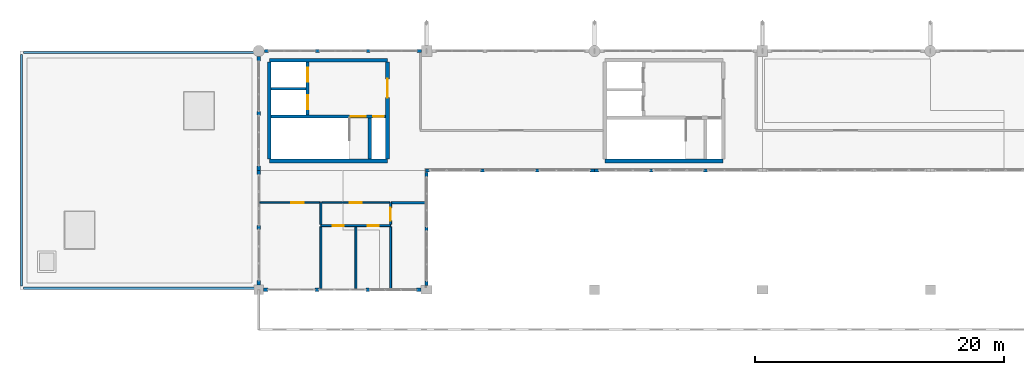
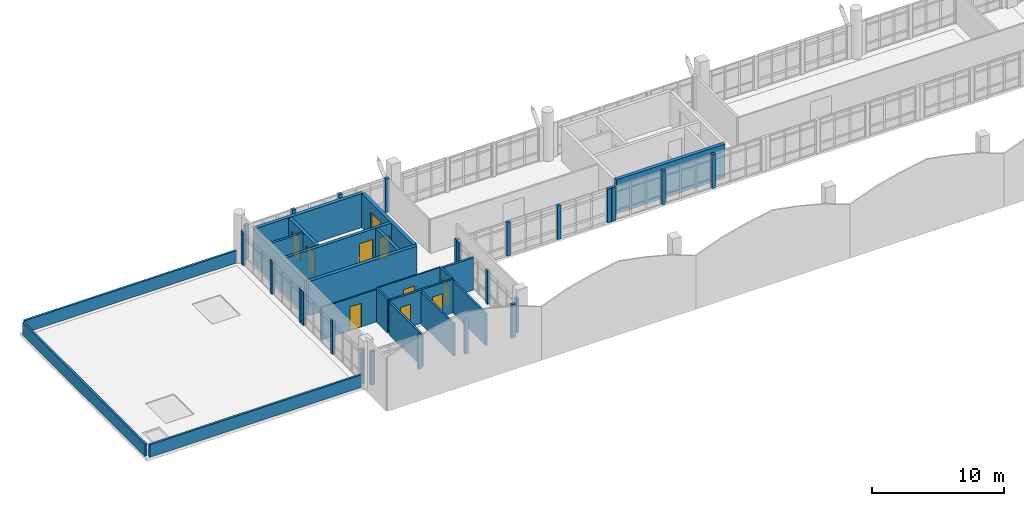
# One storey, part 34 of 37: 45 walls, 10 doors, 10 openings.
"""IFC4 building model written with IfcOpenShell, lengths in metres."""

from ifc_helpers import new_model, si_unit, direction, frame, frame_2d, origin, place, context, subcontext, project, spatial, rectangle, extrude, material, layer, layer_set, type_object, element, fill, save


model = new_model("IFC4")

# Units and contexts
model_context = context("Model", 3, precision=1e-05, world=origin(), true_north=direction((0.0, 1.0)))
body_context = subcontext(model_context, "Body", "Model", "MODEL_VIEW")
ifc_project = project(units=[si_unit("LENGTHUNIT", "METRE"), si_unit("AREAUNIT", "SQUARE_METRE"), si_unit("VOLUMEUNIT", "CUBIC_METRE"), si_unit("PLANEANGLEUNIT", "RADIAN"), si_unit("MASSUNIT", "GRAM", prefix="KILO")], contexts=[model_context])

# Site, building, storey
site_placement = place(None, origin())
site = spatial("IfcSite", under=ifc_project, at=site_placement, CompositionType="ELEMENT")
building_placement = place(site_placement, origin())
building = spatial("IfcBuilding", under=site, at=building_placement, Name="Fikremerkos Civic Library", CompositionType="ELEMENT")
storey_placement = place(building_placement, frame((0.0, 0.0, 23.39990234375)))
storey = spatial("IfcBuildingStorey", under=building, at=storey_placement, Name="L05", CompositionType="ELEMENT", Elevation=23.39990234375)

# Walls
ifc_material_1 = material(Name="Concrete C40/50", Category="concrete")
ifc_layer_1 = layer(ifc_material_1, 0.300048828125, Name="Concrete C40/50")
ifc_layer_set_1 = layer_set([ifc_layer_1], Name="Concrete C40/50")
wall_type_1 = type_object("IfcWallType", Name="Core shear wall CSW-01 300", PredefinedType="SHEAR", material=ifc_layer_set_1)
for number, where, z_axis, x_axis, name in (
    (1, (29.550048828125, 22.35009765625, 0.0), (0.0, 0.0, 1.0), (-1.0, 0.0, 0.0), "Core K1 south shear wall L05"),
    (2, (20.050048828125, 30.449951171875, 0.0), (0.0, 0.0, 1.0), (1.0, 0.0, 0.0), "Core K1 north shear wall L05"),
):
    element("IfcWall", number, at=place(storey_placement, frame(where, z_axis=z_axis, x_axis=x_axis)), inside=storey, type_object=wall_type_1, Name=name, PredefinedType="SHEAR", context=body_context, shape_type="SweptSolid", body=[
        extrude(rectangle(XDim=9.5, YDim=0.300048828125, at=frame_2d((4.75, 0.0))), origin(), (0.0, 0.0, 1.0), 3.150146484375),
    ])
wall_1_placement = place(storey_placement, frame((20.050048828125, 22.501953125, 0.0), z_axis=(0.0, 0.0, 1.0), x_axis=(0.0, 1.0, 0.0)))
element("IfcWall", 3, at=wall_1_placement, inside=storey, type_object=wall_type_1, Name="Core K1 west shear wall L05", PredefinedType="SHEAR", context=body_context, shape_type="SweptSolid", body=[
    extrude(rectangle(XDim=7.796142578125, YDim=0.300048828125, at=frame_2d((3.89794921875, 0.0))), origin(), (0.0, 0.0, 1.0), 3.150146484375),
])

# Wall, opening, door
wall_2_placement = place(storey_placement, frame((29.550048828125, 30.298095703125, 0.0), z_axis=(0.0, 0.0, 1.0), x_axis=(0.0, -1.0, 0.0)))
wall_2 = element("IfcWall", 4, at=wall_2_placement, inside=storey, type_object=wall_type_1, Name="Core K1 east shear wall L05", PredefinedType="SHEAR", context=body_context, shape_type="SweptSolid", body=[
    extrude(rectangle(XDim=7.796142578125, YDim=0.300048828125, at=frame_2d((3.89794921875, 0.0))), origin(), (0.0, 0.0, 1.0), 3.150146484375),
])
opening_1_placement = place(wall_2_placement, frame((1.347900390625, 0.0, 0.0)))
opening_1 = element("IfcOpeningElement", 5, at=opening_1_placement, cuts=wall_2, Name="Opening D050", PredefinedType="OPENING", context=body_context, shape_type="SweptSolid", body=[
    extrude(rectangle(XDim=1.5, YDim=2.25, at=frame_2d((0.75, 1.125))), frame((0.0, 0.159912109375, 0.0), z_axis=(0.0, -1.0, 0.0), x_axis=(1.0, 0.0, 0.0)), (0.0, 0.0, 1.0), 0.320068359375),
])
ifc_material_2 = material(Name="Hardwood timber and acoustic glass", Category="wood")
door_type_1 = type_object("IfcDoorType", Name="Pedestrian door DT-05 1500x2250", OperationType="NOTDEFINED", PredefinedType="DOOR", material=ifc_material_2)
door_1_placement = place(opening_1_placement, origin())
door_1 = element("IfcDoor", 6, at=door_1_placement, inside=storey, type_object=door_type_1, Name="Core K1 lobby fire door D050 L05", OperationType="SINGLE_SWING_LEFT", OverallHeight=2.25, OverallWidth=1.5, PredefinedType="DOOR", context=body_context, shape_type="SweptSolid", body=[
    extrude(rectangle(XDim=1.5, YDim=2.25, at=frame_2d((0.75, 1.125))), frame((0.0, 0.032470703125, 0.0), z_axis=(0.0, -1.0, 0.0), x_axis=(1.0, 0.0, 0.0)), (0.0, 0.0, 1.0), 0.06494140625),
])
fill(opening_1, door_1)

# Wall
wall_3_placement = place(storey_placement, frame((56.550048828125, 22.35009765625, 0.0), z_axis=(0.0, 0.0, 1.0), x_axis=(-1.0, 0.0, 0.0)))
element("IfcWall", 7, at=wall_3_placement, inside=storey, type_object=wall_type_1, Name="Core K3 south shear wall L05", PredefinedType="SHEAR", context=body_context, shape_type="SweptSolid", body=[
    extrude(rectangle(XDim=9.5, YDim=0.300048828125, at=frame_2d((4.75, 0.0))), origin(), (0.0, 0.0, 1.0), 3.150146484375),
])

# Wall, openings, doors
ifc_layer_2 = layer(ifc_material_1, 0.260009765625, Name="Concrete C40/50")
ifc_layer_set_2 = layer_set([ifc_layer_2], Name="Concrete C40/50")
wall_type_2 = type_object("IfcWallType", Name="Core shear wall CSW-02 260", PredefinedType="SHEAR", material=ifc_layer_set_2)
wall_4_placement = place(storey_placement, frame((20.201904296875, 25.929931640625, 0.0), z_axis=(0.0, 0.0, 1.0), x_axis=(1.0, 0.0, 0.0)))
wall_4 = element("IfcWall", 8, at=wall_4_placement, inside=storey, type_object=wall_type_2, Name="Core K1 stair compartment wall L05", PredefinedType="SHEAR", context=body_context, shape_type="SweptSolid", body=[
    extrude(rectangle(XDim=9.196044921875, YDim=0.260009765625, at=frame_2d((4.59814453125, 0.0))), origin(), (0.0, 0.0, 1.0), 3.150146484375),
])
opening_2_placement = place(wall_4_placement, frame((6.39794921875, 0.0, 0.0)))
opening_2 = element("IfcOpeningElement", 9, at=opening_2_placement, cuts=wall_4, Name="Opening D051", PredefinedType="OPENING", context=body_context, shape_type="SweptSolid", body=[
    extrude(rectangle(XDim=1.199951171875, YDim=2.199951171875, at=frame_2d((0.60009765625, 1.10009765625))), frame((0.0, 0.139892578125, 0.0), z_axis=(0.0, -1.0, 0.0), x_axis=(1.0, 0.0, 0.0)), (0.0, 0.0, 1.0), 0.280029296875),
])
opening_3_placement = place(wall_4_placement, frame((8.202880859375, 0.0, 0.0)))
opening_3 = element("IfcOpeningElement", 10, at=opening_3_placement, cuts=wall_4, Name="Opening D052", PredefinedType="OPENING", context=body_context, shape_type="SweptSolid", body=[
    extrude(rectangle(XDim=0.85009765625, YDim=2.050048828125, at=frame_2d((0.425048828125, 1.02490234375))), frame((0.0, 0.139892578125, 0.0), z_axis=(0.0, -1.0, 0.0), x_axis=(1.0, 0.0, 0.0)), (0.0, 0.0, 1.0), 0.280029296875),
])
door_type_2 = type_object("IfcDoorType", Name="Pedestrian door DT-06 1200x2200", OperationType="NOTDEFINED", PredefinedType="DOOR", material=ifc_material_2)
door_2_placement = place(opening_2_placement, origin())
door_2 = element("IfcDoor", 11, at=door_2_placement, inside=storey, type_object=door_type_2, Name="Core K1 stair fire door D051 L05", OperationType="SINGLE_SWING_LEFT", OverallHeight=2.199951171875, OverallWidth=1.199951171875, PredefinedType="DOOR", context=body_context, shape_type="SweptSolid", body=[
    extrude(rectangle(XDim=1.199951171875, YDim=2.199951171875, at=frame_2d((0.60009765625, 1.10009765625))), frame((0.0, 0.032470703125, 0.0), z_axis=(0.0, -1.0, 0.0), x_axis=(1.0, 0.0, 0.0)), (0.0, 0.0, 1.0), 0.06494140625),
])
fill(opening_2, door_2)
door_type_3 = type_object("IfcDoorType", Name="Pedestrian door DT-08 850x2050", OperationType="NOTDEFINED", PredefinedType="DOOR", material=ifc_material_2)
door_3_placement = place(opening_3_placement, origin())
door_3 = element("IfcDoor", 12, at=door_3_placement, inside=storey, type_object=door_type_3, Name="Core K1 riser access fire door D052 L05", OperationType="SINGLE_SWING_LEFT", OverallHeight=2.050048828125, OverallWidth=0.85009765625, PredefinedType="DOOR", context=body_context, shape_type="SweptSolid", body=[
    extrude(rectangle(XDim=0.85009765625, YDim=2.050048828125, at=frame_2d((0.425048828125, 1.02490234375))), frame((0.0, 0.032470703125, 0.0), z_axis=(0.0, -1.0, 0.0), x_axis=(1.0, 0.0, 0.0)), (0.0, 0.0, 1.0), 0.06494140625),
])
fill(opening_3, door_3)

# Wall
wall_5_placement = place(storey_placement, frame((28.1298828125, 22.501953125, 0.0), z_axis=(0.0, 0.0, 1.0), x_axis=(0.0, 1.0, 0.0)))
element("IfcWall", 13, at=wall_5_placement, inside=storey, type_object=wall_type_2, Name="Core K1 stair-riser shear wall L05", PredefinedType="SHEAR", context=body_context, shape_type="SweptSolid", body=[
    extrude(rectangle(XDim=3.296142578125, YDim=0.260009765625, at=frame_2d((1.64794921875, 0.0))), origin(), (0.0, 0.0, 1.0), 3.150146484375),
])

# Wall, openings, doors
wall_6_placement = place(storey_placement, frame((23.1298828125, 26.06201171875, 0.0), z_axis=(0.0, 0.0, 1.0), x_axis=(0.0, 1.0, 0.0)))
wall_6 = element("IfcWall", 14, at=wall_6_placement, inside=storey, type_object=wall_type_2, Name="Core K1 lift shaft front wall L05", PredefinedType="SHEAR", context=body_context, shape_type="SweptSolid", body=[
    extrude(rectangle(XDim=4.236083984375, YDim=0.260009765625, at=frame_2d((2.1181640625, 0.0))), origin(), (0.0, 0.0, 1.0), 3.150146484375),
])
opening_4_placement = place(wall_6_placement, frame((0.468017578125, 0.0, 0.0)))
opening_4 = element("IfcOpeningElement", 15, at=opening_4_placement, cuts=wall_6, Name="Opening LD15", PredefinedType="OPENING", context=body_context, shape_type="SweptSolid", body=[
    extrude(rectangle(XDim=1.10009765625, YDim=2.14990234375, at=frame_2d((0.550048828125, 1.074951171875))), frame((0.0, 0.139892578125, 0.0), z_axis=(0.0, -1.0, 0.0), x_axis=(1.0, 0.0, 0.0)), (0.0, 0.0, 1.0), 0.280029296875),
])
opening_5_placement = place(wall_6_placement, frame((2.66796875, 0.0, 0.0)))
opening_5 = element("IfcOpeningElement", 16, at=opening_5_placement, cuts=wall_6, Name="Opening LD16", PredefinedType="OPENING", context=body_context, shape_type="SweptSolid", body=[
    extrude(rectangle(XDim=1.10009765625, YDim=2.14990234375, at=frame_2d((0.550048828125, 1.074951171875))), frame((0.0, 0.139892578125, 0.0), z_axis=(0.0, -1.0, 0.0), x_axis=(1.0, 0.0, 0.0)), (0.0, 0.0, 1.0), 0.280029296875),
])
ifc_material_3 = material(Name="Brushed stainless steel", Category="steel")
door_type_4 = type_object("IfcDoorType", Name="Lift landing door LDT-01 1100x2150", OperationType="NOTDEFINED", PredefinedType="DOOR", material=ifc_material_3)
door_4_placement = place(opening_4_placement, origin())
door_4 = element("IfcDoor", 17, at=door_4_placement, inside=storey, type_object=door_type_4, Name="Lift LF01 sliding landing door LD15 L05", OperationType="SLIDING_TO_LEFT", OverallHeight=2.14990234375, OverallWidth=1.10009765625, PredefinedType="DOOR", context=body_context, shape_type="SweptSolid", body=[
    extrude(rectangle(XDim=1.10009765625, YDim=2.14990234375, at=frame_2d((0.550048828125, 1.074951171875))), frame((0.0, 0.032470703125, 0.0), z_axis=(0.0, -1.0, 0.0), x_axis=(1.0, 0.0, 0.0)), (0.0, 0.0, 1.0), 0.06494140625),
])
fill(opening_4, door_4)
door_5_placement = place(opening_5_placement, origin())
door_5 = element("IfcDoor", 18, at=door_5_placement, inside=storey, type_object=door_type_4, Name="Lift LF02 sliding landing door LD16 L05", OperationType="SLIDING_TO_LEFT", OverallHeight=2.14990234375, OverallWidth=1.10009765625, PredefinedType="DOOR", context=body_context, shape_type="SweptSolid", body=[
    extrude(rectangle(XDim=1.10009765625, YDim=2.14990234375, at=frame_2d((0.550048828125, 1.074951171875))), frame((0.0, 0.032470703125, 0.0), z_axis=(0.0, -1.0, 0.0), x_axis=(1.0, 0.0, 0.0)), (0.0, 0.0, 1.0), 0.06494140625),
])
fill(opening_5, door_5)

# Walls
ifc_material_4 = material(Name="Precast concrete C40/50", Category="concrete")
ifc_layer_3 = layer(ifc_material_4, 0.25, Name="Precast concrete C40/50")
ifc_layer_set_3 = layer_set([ifc_layer_3], Name="Precast concrete C40/50")
wall_type_3 = type_object("IfcWallType", Name="Exterior solid wall ESW-05 250", PredefinedType="SOLIDWALL", material=ifc_layer_set_3)
wall_7_placement = place(storey_placement, frame((32.251953125, 12.0, 0.0), z_axis=(0.0, 0.0, 1.0), x_axis=(-1.0, 0.0, 0.0)))
element("IfcWall", 19, at=wall_7_placement, inside=storey, type_object=wall_type_3, Name="Exterior facade pier ESW-05 #667", PredefinedType="SOLIDWALL", context=body_context, shape_type="SweptSolid", body=[
    extrude(rectangle(XDim=0.349853515625, YDim=0.25, at=frame_2d((0.1748046875, 0.0))), origin(), (0.0, 0.0, 1.0), 3.1201171875),
])
wall_8_placement = place(storey_placement, frame((19.947998046875, 12.0, 0.0), z_axis=(0.0, 0.0, 1.0), x_axis=(-1.0, 0.0, 0.0)))
element("IfcWall", 20, at=wall_8_placement, inside=storey, type_object=wall_type_3, Name="Exterior facade pier ESW-05 #668", PredefinedType="SOLIDWALL", context=body_context, shape_type="SweptSolid", body=[
    extrude(rectangle(XDim=0.35009765625, YDim=0.25, at=frame_2d((0.175048828125, 0.0))), origin(), (0.0, 0.0, 1.0), 3.1201171875),
])
for number, where, z_axis, x_axis, name in (
    (21, (28.117431640625, 12.0, 0.0), (0.0, 0.0, 1.0), (-1.0, 0.0, 0.0), "Exterior facade mullion pier ESW-05 #669"),
    (22, (24.03271484375, 12.0, 0.0), (0.0, 0.0, 1.0), (-1.0, 0.0, 0.0), "Exterior facade mullion pier ESW-05 #670"),
):
    element("IfcWall", number, at=place(storey_placement, frame(where, z_axis=z_axis, x_axis=x_axis)), inside=storey, type_object=wall_type_3, Name=name, PredefinedType="SOLIDWALL", context=body_context, shape_type="SweptSolid", body=[
        extrude(rectangle(XDim=0.300048828125, YDim=0.25, at=frame_2d((0.14990234375, 0.0))), origin(), (0.0, 0.0, 1.0), 3.1201171875),
    ])
wall_9_placement = place(storey_placement, frame((19.199951171875, 12.39794921875, 0.0), z_axis=(0.0, 0.0, 1.0), x_axis=(0.0, 1.0, 0.0)))
element("IfcWall", 23, at=wall_9_placement, inside=storey, type_object=wall_type_3, Name="Exterior facade pier ESW-05 #671", PredefinedType="SOLIDWALL", context=body_context, shape_type="SweptSolid", body=[
    extrude(rectangle(XDim=0.35009765625, YDim=0.25, at=frame_2d((0.175048828125, 0.0))), origin(), (0.0, 0.0, 1.0), 3.1201171875),
])
wall_10_placement = place(storey_placement, frame((19.199951171875, 21.248046875, 0.0), z_axis=(0.0, 0.0, 1.0), x_axis=(0.0, 1.0, 0.0)))
element("IfcWall", 24, at=wall_10_placement, inside=storey, type_object=wall_type_3, Name="Exterior facade pier ESW-05 #672", PredefinedType="SOLIDWALL", context=body_context, shape_type="SweptSolid", body=[
    extrude(rectangle(XDim=0.349853515625, YDim=0.25, at=frame_2d((0.1748046875, 0.0))), origin(), (0.0, 0.0, 1.0), 3.1201171875),
])
wall_11_placement = place(storey_placement, frame((19.199951171875, 16.847900390625, 0.0), z_axis=(0.0, 0.0, 1.0), x_axis=(0.0, 1.0, 0.0)))
element("IfcWall", 25, at=wall_11_placement, inside=storey, type_object=wall_type_3, Name="Exterior facade mullion pier ESW-05 #673", PredefinedType="SOLIDWALL", context=body_context, shape_type="SweptSolid", body=[
    extrude(rectangle(XDim=0.300048828125, YDim=0.25, at=frame_2d((0.14990234375, 0.0))), origin(), (0.0, 0.0, 1.0), 3.1201171875),
])
for number, where, z_axis, x_axis, name in (
    (26, (19.199951171875, 21.60205078125, 0.0), (0.0, 0.0, 1.0), (0.0, 1.0, 0.0), "Exterior facade pier ESW-05 #674"),
    (27, (19.199951171875, 30.402099609375, 0.0), (0.0, 0.0, 1.0), (0.0, 1.0, 0.0), "Exterior facade pier ESW-05 #675"),
):
    element("IfcWall", number, at=place(storey_placement, frame(where, z_axis=z_axis, x_axis=x_axis)), inside=storey, type_object=wall_type_3, Name=name, PredefinedType="SOLIDWALL", context=body_context, shape_type="SweptSolid", body=[
        extrude(rectangle(XDim=0.349853515625, YDim=0.25, at=frame_2d((0.1748046875, 0.0))), origin(), (0.0, 0.0, 1.0), 3.1201171875),
    ])
wall_12_placement = place(storey_placement, frame((19.199951171875, 26.027099609375, 0.0), z_axis=(0.0, 0.0, 1.0), x_axis=(0.0, 1.0, 0.0)))
element("IfcWall", 28, at=wall_12_placement, inside=storey, type_object=wall_type_3, Name="Exterior facade mullion pier ESW-05 #676", PredefinedType="SOLIDWALL", context=body_context, shape_type="SweptSolid", body=[
    extrude(rectangle(XDim=0.2998046875, YDim=0.25, at=frame_2d((0.14990234375, 0.0))), origin(), (0.0, 0.0, 1.0), 3.1201171875),
])
for number, where, z_axis, x_axis, name in (
    (29, (19.64794921875, 31.199951171875, 0.0), (0.0, 0.0, 1.0), (1.0, 0.0, 0.0), "Exterior facade pier ESW-05 #677"),
    (30, (31.927001953125, 31.199951171875, 0.0), (0.0, 0.0, 1.0), (1.0, 0.0, 0.0), "Exterior facade pier ESW-05 #678"),
):
    element("IfcWall", number, at=place(storey_placement, frame(where, z_axis=z_axis, x_axis=x_axis)), inside=storey, type_object=wall_type_3, Name=name, PredefinedType="SOLIDWALL", context=body_context, shape_type="SweptSolid", body=[
        extrude(rectangle(XDim=0.35009765625, YDim=0.25, at=frame_2d((0.175048828125, 0.0))), origin(), (0.0, 0.0, 1.0), 3.1201171875),
    ])
wall_13_placement = place(storey_placement, frame((23.7744140625, 31.199951171875, 0.0), z_axis=(0.0, 0.0, 1.0), x_axis=(1.0, 0.0, 0.0)))
element("IfcWall", 31, at=wall_13_placement, inside=storey, type_object=wall_type_3, Name="Exterior facade mullion pier ESW-05 #679", PredefinedType="SOLIDWALL", context=body_context, shape_type="SweptSolid", body=[
    extrude(rectangle(XDim=0.2998046875, YDim=0.25, at=frame_2d((0.14990234375, 0.0))), origin(), (0.0, 0.0, 1.0), 3.1201171875),
])
wall_14_placement = place(storey_placement, frame((27.8505859375, 31.199951171875, 0.0), z_axis=(0.0, 0.0, 1.0), x_axis=(1.0, 0.0, 0.0)))
element("IfcWall", 32, at=wall_14_placement, inside=storey, type_object=wall_type_3, Name="Exterior facade mullion pier ESW-05 #680", PredefinedType="SOLIDWALL", context=body_context, shape_type="SweptSolid", body=[
    extrude(rectangle(XDim=0.300048828125, YDim=0.25, at=frame_2d((0.14990234375, 0.0))), origin(), (0.0, 0.0, 1.0), 3.1201171875),
])
wall_15_placement = place(storey_placement, frame((46.552001953125, 21.60009765625, 0.0), z_axis=(0.0, 0.0, 1.0), x_axis=(-1.0, 0.0, 0.0)))
element("IfcWall", 33, at=wall_15_placement, inside=storey, type_object=wall_type_3, Name="Exterior facade pier ESW-05 #725", PredefinedType="SOLIDWALL", context=body_context, shape_type="SweptSolid", body=[
    extrude(rectangle(XDim=0.35009765625, YDim=0.25, at=frame_2d((0.175048828125, 0.0))), origin(), (0.0, 0.0, 1.0), 3.1201171875),
])
wall_16_placement = place(storey_placement, frame((55.28271484375, 21.60009765625, 0.0), z_axis=(0.0, 0.0, 1.0), x_axis=(-1.0, 0.0, 0.0)))
element("IfcWall", 34, at=wall_16_placement, inside=storey, type_object=wall_type_3, Name="Exterior facade mullion pier ESW-05 #726", PredefinedType="SOLIDWALL", context=body_context, shape_type="SweptSolid", body=[
    extrude(rectangle(XDim=0.300048828125, YDim=0.25, at=frame_2d((0.14990234375, 0.0))), origin(), (0.0, 0.0, 1.0), 3.1201171875),
])
wall_17_placement = place(storey_placement, frame((50.917236328125, 21.60009765625, 0.0), z_axis=(0.0, 0.0, 1.0), x_axis=(-1.0, 0.0, 0.0)))
element("IfcWall", 35, at=wall_17_placement, inside=storey, type_object=wall_type_3, Name="Exterior facade mullion pier ESW-05 #727", PredefinedType="SOLIDWALL", context=body_context, shape_type="SweptSolid", body=[
    extrude(rectangle(XDim=0.2998046875, YDim=0.25, at=frame_2d((0.14990234375, 0.0))), origin(), (0.0, 0.0, 1.0), 3.1201171875),
])
wall_18_placement = place(storey_placement, frame((46.197998046875, 21.60009765625, 0.0), z_axis=(0.0, 0.0, 1.0), x_axis=(-1.0, 0.0, 0.0)))
element("IfcWall", 36, at=wall_18_placement, inside=storey, type_object=wall_type_3, Name="Exterior facade pier ESW-05 #728", PredefinedType="SOLIDWALL", context=body_context, shape_type="SweptSolid", body=[
    extrude(rectangle(XDim=0.35009765625, YDim=0.25, at=frame_2d((0.175048828125, 0.0))), origin(), (0.0, 0.0, 1.0), 3.1201171875),
])
wall_19_placement = place(storey_placement, frame((32.93994140625, 21.60009765625, 0.0), z_axis=(0.0, 0.0, 1.0), x_axis=(-1.0, 0.0, 0.0)))
element("IfcWall", 37, at=wall_19_placement, inside=storey, type_object=wall_type_3, Name="Exterior facade pier ESW-05 #729", PredefinedType="SOLIDWALL", context=body_context, shape_type="SweptSolid", body=[
    extrude(rectangle(XDim=0.349853515625, YDim=0.25, at=frame_2d((0.1748046875, 0.0))), origin(), (0.0, 0.0, 1.0), 3.1201171875),
])
for number, where, z_axis, x_axis, name in (
    (38, (41.745361328125, 21.60009765625, 0.0), (0.0, 0.0, 1.0), (-1.0, 0.0, 0.0), "Exterior facade mullion pier ESW-05 #730"),
    (39, (37.3427734375, 21.60009765625, 0.0), (0.0, 0.0, 1.0), (-1.0, 0.0, 0.0), "Exterior facade mullion pier ESW-05 #731"),
):
    element("IfcWall", number, at=place(storey_placement, frame(where, z_axis=z_axis, x_axis=x_axis)), inside=storey, type_object=wall_type_3, Name=name, PredefinedType="SOLIDWALL", context=body_context, shape_type="SweptSolid", body=[
        extrude(rectangle(XDim=0.300048828125, YDim=0.25, at=frame_2d((0.14990234375, 0.0))), origin(), (0.0, 0.0, 1.0), 3.1201171875),
    ])
wall_20_placement = place(storey_placement, frame((32.699951171875, 21.419921875, 0.0), z_axis=(0.0, 0.0, 1.0), x_axis=(0.0, -1.0, 0.0)))
element("IfcWall", 40, at=wall_20_placement, inside=storey, type_object=wall_type_3, Name="Exterior facade pier ESW-05 #732", PredefinedType="SOLIDWALL", context=body_context, shape_type="SweptSolid", body=[
    extrude(rectangle(XDim=0.349853515625, YDim=0.25, at=frame_2d((0.1748046875, 0.0))), origin(), (0.0, 0.0, 1.0), 3.1201171875),
])
wall_21_placement = place(storey_placement, frame((32.699951171875, 12.697998046875, 0.0), z_axis=(0.0, 0.0, 1.0), x_axis=(0.0, -1.0, 0.0)))
element("IfcWall", 41, at=wall_21_placement, inside=storey, type_object=wall_type_3, Name="Exterior facade pier ESW-05 #733", PredefinedType="SOLIDWALL", context=body_context, shape_type="SweptSolid", body=[
    extrude(rectangle(XDim=0.35009765625, YDim=0.25, at=frame_2d((0.175048828125, 0.0))), origin(), (0.0, 0.0, 1.0), 3.1201171875),
])
wall_22_placement = place(storey_placement, frame((32.699951171875, 17.033935546875, 0.0), z_axis=(0.0, 0.0, 1.0), x_axis=(0.0, -1.0, 0.0)))
element("IfcWall", 42, at=wall_22_placement, inside=storey, type_object=wall_type_3, Name="Exterior facade mullion pier ESW-05 #734", PredefinedType="SOLIDWALL", context=body_context, shape_type="SweptSolid", body=[
    extrude(rectangle(XDim=0.300048828125, YDim=0.25, at=frame_2d((0.14990234375, 0.0))), origin(), (0.0, 0.0, 1.0), 3.1201171875),
])
ifc_material_5 = material(Name="Acoustic concrete blockwork", Category="masonry")
ifc_layer_4 = layer(ifc_material_5, 0.18994140625, Name="Acoustic concrete blockwork")
ifc_layer_set_4 = layer_set([ifc_layer_4], Name="Acoustic concrete blockwork")
wall_type_4 = type_object("IfcWallType", Name="Interior partition wall IPW-01 190", PredefinedType="PARTITIONING", material=ifc_layer_set_4)
wall_23_placement = place(storey_placement, frame((29.85009765625, 19.0, 0.0), z_axis=(0.0, 0.0, 1.0), x_axis=(1.0, 0.0, 0.0)))
element("IfcWall", 43, at=wall_23_placement, inside=storey, type_object=wall_type_4, Name="Interior wall IPW-01 L05 #256", PredefinedType="PARTITIONING", context=body_context, shape_type="SweptSolid", body=[
    extrude(rectangle(XDim=2.766845703125, YDim=0.18994140625, at=frame_2d((1.38330078125, 0.0))), origin(), (0.0, 0.0, 1.0), 3.0),
])

# Wall, opening, door
ifc_material_6 = material(Name="Gypsum metal stud partition")
ifc_layer_5 = layer(ifc_material_6, 0.1298828125, Name="Gypsum metal stud partition")
ifc_layer_set_5 = layer_set([ifc_layer_5], Name="Gypsum metal stud partition")
wall_type_5 = type_object("IfcWallType", Name="Interior partition wall IPW-03 130", PredefinedType="PARTITIONING", material=ifc_layer_set_5)
wall_24_placement = place(storey_placement, frame((19.282958984375, 19.0, 0.0), z_axis=(0.0, 0.0, 1.0), x_axis=(1.0, 0.0, 0.0)))
wall_24 = element("IfcWall", 44, at=wall_24_placement, inside=storey, type_object=wall_type_5, Name="Interior wall IPW-03 L05 #254", PredefinedType="PARTITIONING", context=body_context, shape_type="SweptSolid", body=[
    extrude(rectangle(XDim=4.866943359375, YDim=0.1298828125, at=frame_2d((2.43359375, 0.0))), origin(), (0.0, 0.0, 1.0), 3.0),
])
opening_6_placement = place(wall_24_placement, frame((2.51708984375, 0.0, 0.0)))
opening_6 = element("IfcOpeningElement", 45, at=opening_6_placement, cuts=wall_24, Name="Opening D255", PredefinedType="OPENING", context=body_context, shape_type="SweptSolid", body=[
    extrude(rectangle(XDim=1.0, YDim=2.199951171875, at=frame_2d((0.5, 1.10009765625))), frame((0.0, 0.074951171875, 0.0), z_axis=(0.0, -1.0, 0.0), x_axis=(1.0, 0.0, 0.0)), (0.0, 0.0, 1.0), 0.14990234375),
])
door_type_5 = type_object("IfcDoorType", Name="Pedestrian door DT-01 1000x2200", OperationType="NOTDEFINED", PredefinedType="DOOR", material=ifc_material_2)
door_6_placement = place(opening_6_placement, origin())
door_6 = element("IfcDoor", 46, at=door_6_placement, inside=storey, type_object=door_type_5, Name="Interior door D255 L05", OperationType="SINGLE_SWING_LEFT", OverallHeight=2.199951171875, OverallWidth=1.0, PredefinedType="DOOR", context=body_context, shape_type="SweptSolid", body=[
    extrude(rectangle(XDim=1.0, YDim=2.199951171875, at=frame_2d((0.5, 1.10009765625))), frame((0.0, 0.032470703125, 0.0), z_axis=(0.0, -1.0, 0.0), x_axis=(1.0, 0.0, 0.0)), (0.0, 0.0, 1.0), 0.06494140625),
])
fill(opening_6, door_6)

ifc_material_7 = material(Name="Lightweight metal stud partition")
ifc_layer_6 = layer(ifc_material_7, 0.110107421875, Name="Lightweight metal stud partition")
ifc_layer_set_6 = layer_set([ifc_layer_6], Name="Lightweight metal stud partition")
wall_type_6 = type_object("IfcWallType", Name="Interior partition wall IPW-04 110", PredefinedType="PARTITIONING", material=ifc_layer_set_6)
wall_25_placement = place(storey_placement, frame((24.25, 19.0, 0.0), z_axis=(0.0, 0.0, 1.0), x_axis=(1.0, 0.0, 0.0)))
wall_25 = element("IfcWall", 47, at=wall_25_placement, inside=storey, type_object=wall_type_6, Name="Interior wall IPW-04 L05 #255", PredefinedType="PARTITIONING", context=body_context, shape_type="SweptSolid", body=[
    extrude(rectangle(XDim=5.5, YDim=0.110107421875, at=frame_2d((2.75, 0.0))), origin(), (0.0, 0.0, 1.0), 3.10009765625),
])
opening_7_placement = place(wall_25_placement, frame((2.27490234375, 0.0, 0.0)))
opening_7 = element("IfcOpeningElement", 48, at=opening_7_placement, cuts=wall_25, Name="Opening D251", PredefinedType="OPENING", context=body_context, shape_type="SweptSolid", body=[
    extrude(rectangle(XDim=0.949951171875, YDim=2.14990234375, at=frame_2d((0.47509765625, 1.074951171875))), frame((0.0, 0.06494140625, 0.0), z_axis=(0.0, -1.0, 0.0), x_axis=(1.0, 0.0, 0.0)), (0.0, 0.0, 1.0), 0.130126953125),
])
door_type_6 = type_object("IfcDoorType", Name="Pedestrian door DT-02 950x2150", OperationType="NOTDEFINED", PredefinedType="DOOR", material=ifc_material_2)
door_7_placement = place(opening_7_placement, origin())
door_7 = element("IfcDoor", 49, at=door_7_placement, inside=storey, type_object=door_type_6, Name="Interior door D251 L05", OperationType="SINGLE_SWING_LEFT", OverallHeight=2.14990234375, OverallWidth=0.949951171875, PredefinedType="DOOR", context=body_context, shape_type="SweptSolid", body=[
    extrude(rectangle(XDim=0.949951171875, YDim=2.14990234375, at=frame_2d((0.47509765625, 1.074951171875))), frame((0.0, 0.032470703125, 0.0), z_axis=(0.0, -1.0, 0.0), x_axis=(1.0, 0.0, 0.0)), (0.0, 0.0, 1.0), 0.06494140625),
])
fill(opening_7, door_7)

# Walls
ifc_layer_7 = layer(ifc_material_4, 0.179931640625, Name="Precast concrete C40/50")
ifc_layer_set_7 = layer_set([ifc_layer_7], Name="Precast concrete C40/50")
wall_type_7 = type_object("IfcWallType", Name="Roof parapet wall PAR-01 180", PredefinedType="PARAPET", material=ifc_layer_set_7)
for number, where, z_axis, x_axis, name in (
    (50, (0.300048828125, 12.1201171875, 0.0), (0.0, 0.0, 1.0), (1.0, 0.0, 0.0), "Roof parapet wall PAR-01 RF-L05-V5S S"),
    (51, (0.300048828125, 31.080078125, 0.0), (0.0, 0.0, 1.0), (1.0, 0.0, 0.0), "Roof parapet wall PAR-01 RF-L05-V5S N"),
    (52, (0.1201171875, 12.300048828125, 0.0), (0.0, 0.0, 1.0), (0.0, 1.0, 0.0), "Roof parapet wall PAR-01 RF-L05-V5S W"),
):
    element("IfcWall", number, at=place(storey_placement, frame(where, z_axis=z_axis, x_axis=x_axis)), inside=storey, type_object=wall_type_7, Name=name, PredefinedType="PARAPET", context=body_context, shape_type="SweptSolid", body=[
        extrude(rectangle(XDim=18.599853515625, YDim=0.179931640625, at=frame_2d((9.2998046875, 0.0))), origin(), (0.0, 0.0, 1.0), 1.150146484375),
    ])
ifc_material_8 = material(Name="Concrete C35/45", Category="concrete")
ifc_layer_8 = layer(ifc_material_8, 0.199951171875, Name="Concrete C35/45")
ifc_layer_set_8 = layer_set([ifc_layer_8], Name="Concrete C35/45")
wall_type_8 = type_object("IfcWallType", Name="Service duct wall SDW-01 200", PredefinedType="PLUMBINGWALL", material=ifc_layer_set_8)
wall_26_placement = place(storey_placement, frame((20.201904296875, 28.179931640625, 0.0), z_axis=(0.0, 0.0, 1.0), x_axis=(1.0, 0.0, 0.0)))
element("IfcWall", 53, at=wall_26_placement, inside=storey, type_object=wall_type_8, Name="Core K1 inter-lift shaft wall L05", PredefinedType="PLUMBINGWALL", context=body_context, shape_type="SweptSolid", body=[
    extrude(rectangle(XDim=2.796142578125, YDim=0.199951171875, at=frame_2d((1.39794921875, 0.0))), origin(), (0.0, 0.0, 1.0), 3.10009765625),
])

# Wall, openings, doors
ifc_material_9 = material(Name="Aerated concrete blockwork", Category="masonry")
ifc_layer_9 = layer(ifc_material_9, 0.159912109375, Name="Aerated concrete blockwork")
ifc_layer_set_9 = layer_set([ifc_layer_9], Name="Aerated concrete blockwork")
wall_type_9 = type_object("IfcWallType", Name="Service duct wall SDW-02 160", PredefinedType="PLUMBINGWALL", material=ifc_layer_set_9)
wall_27_placement = place(storey_placement, frame((24.199951171875, 17.14990234375, 0.0), z_axis=(0.0, 0.0, 1.0), x_axis=(1.0, 0.0, 0.0)))
wall_27 = element("IfcWall", 54, at=wall_27_placement, inside=storey, type_object=wall_type_9, Name="Interior wall SDW-02 L05 #248", PredefinedType="PLUMBINGWALL", context=body_context, shape_type="SweptSolid", body=[
    extrude(rectangle(XDim=5.60009765625, YDim=0.159912109375, at=frame_2d((2.800048828125, 0.0))), origin(), (0.0, 0.0, 1.0), 3.10009765625),
])
opening_8_placement = place(wall_27_placement, frame((0.949951171875, 0.0, 0.0)))
opening_8 = element("IfcOpeningElement", 55, at=opening_8_placement, cuts=wall_27, Name="Opening D252", PredefinedType="OPENING", context=body_context, shape_type="SweptSolid", body=[
    extrude(rectangle(XDim=0.89990234375, YDim=2.10009765625, at=frame_2d((0.449951171875, 1.050048828125))), frame((0.0, 0.08984375, 0.0), z_axis=(0.0, -1.0, 0.0), x_axis=(1.0, 0.0, 0.0)), (0.0, 0.0, 1.0), 0.179931640625),
])
opening_9_placement = place(wall_27_placement, frame((3.75, 0.0, 0.0)))
opening_9 = element("IfcOpeningElement", 56, at=opening_9_placement, cuts=wall_27, Name="Opening D253", PredefinedType="OPENING", context=body_context, shape_type="SweptSolid", body=[
    extrude(rectangle(XDim=0.89990234375, YDim=2.10009765625, at=frame_2d((0.449951171875, 1.050048828125))), frame((0.0, 0.08984375, 0.0), z_axis=(0.0, -1.0, 0.0), x_axis=(1.0, 0.0, 0.0)), (0.0, 0.0, 1.0), 0.179931640625),
])
door_type_7 = type_object("IfcDoorType", Name="Pedestrian door DT-03 900x2100", OperationType="NOTDEFINED", PredefinedType="DOOR", material=ifc_material_2)
door_8_placement = place(opening_8_placement, origin())
door_8 = element("IfcDoor", 57, at=door_8_placement, inside=storey, type_object=door_type_7, Name="Interior door D252 L05", OperationType="SINGLE_SWING_RIGHT", OverallHeight=2.10009765625, OverallWidth=0.89990234375, PredefinedType="DOOR", context=body_context, shape_type="SweptSolid", body=[
    extrude(rectangle(XDim=0.89990234375, YDim=2.10009765625, at=frame_2d((0.449951171875, 1.050048828125))), frame((0.0, 0.032470703125, 0.0), z_axis=(0.0, -1.0, 0.0), x_axis=(1.0, 0.0, 0.0)), (0.0, 0.0, 1.0), 0.06494140625),
])
fill(opening_8, door_8)
door_9_placement = place(opening_9_placement, origin())
door_9 = element("IfcDoor", 58, at=door_9_placement, inside=storey, type_object=door_type_7, Name="Interior door D253 L05", OperationType="SINGLE_SWING_LEFT", OverallHeight=2.10009765625, OverallWidth=0.89990234375, PredefinedType="DOOR", context=body_context, shape_type="SweptSolid", body=[
    extrude(rectangle(XDim=0.89990234375, YDim=2.10009765625, at=frame_2d((0.449951171875, 1.050048828125))), frame((0.0, 0.032470703125, 0.0), z_axis=(0.0, -1.0, 0.0), x_axis=(1.0, 0.0, 0.0)), (0.0, 0.0, 1.0), 0.06494140625),
])
fill(opening_9, door_9)

# Walls
wall_28_placement = place(storey_placement, frame((24.199951171875, 12.0830078125, 0.0), z_axis=(0.0, 0.0, 1.0), x_axis=(0.0, 1.0, 0.0)))
element("IfcWall", 59, at=wall_28_placement, inside=storey, type_object=wall_type_9, Name="Interior wall SDW-02 L05 #249", PredefinedType="PLUMBINGWALL", context=body_context, shape_type="SweptSolid", body=[
    extrude(rectangle(XDim=4.9619140625, YDim=0.159912109375, at=frame_2d((2.48095703125, 0.0))), origin(), (0.0, 0.0, 1.0), 3.0),
])
wall_29_placement = place(storey_placement, frame((24.199951171875, 17.2548828125, 0.0), z_axis=(0.0, 0.0, 1.0), x_axis=(0.0, 1.0, 0.0)))
element("IfcWall", 60, at=wall_29_placement, inside=storey, type_object=wall_type_9, Name="Interior wall SDW-02 L05 #250", PredefinedType="PLUMBINGWALL", context=body_context, shape_type="SweptSolid", body=[
    extrude(rectangle(XDim=1.7451171875, YDim=0.159912109375, at=frame_2d((0.87255859375, 0.0))), origin(), (0.0, 0.0, 1.0), 3.10009765625),
])
wall_30_placement = place(storey_placement, frame((27.0, 12.0830078125, 0.0), z_axis=(0.0, 0.0, 1.0), x_axis=(0.0, 1.0, 0.0)))
element("IfcWall", 61, at=wall_30_placement, inside=storey, type_object=wall_type_9, Name="Interior wall SDW-02 L05 #251", PredefinedType="PLUMBINGWALL", context=body_context, shape_type="SweptSolid", body=[
    extrude(rectangle(XDim=4.9619140625, YDim=0.159912109375, at=frame_2d((2.48095703125, 0.0))), origin(), (0.0, 0.0, 1.0), 3.0),
])
wall_31_placement = place(storey_placement, frame((29.800048828125, 12.0830078125, 0.0), z_axis=(0.0, 0.0, 1.0), x_axis=(0.0, 1.0, 0.0)))
element("IfcWall", 62, at=wall_31_placement, inside=storey, type_object=wall_type_9, Name="Interior wall SDW-02 L05 #252", PredefinedType="PLUMBINGWALL", context=body_context, shape_type="SweptSolid", body=[
    extrude(rectangle(XDim=4.9619140625, YDim=0.159912109375, at=frame_2d((2.48095703125, 0.0))), origin(), (0.0, 0.0, 1.0), 2.97509765625),
])

# Wall, opening, door
wall_32_placement = place(storey_placement, frame((29.800048828125, 17.2548828125, 0.0), z_axis=(0.0, 0.0, 1.0), x_axis=(0.0, 1.0, 0.0)))
wall_32 = element("IfcWall", 63, at=wall_32_placement, inside=storey, type_object=wall_type_9, Name="Interior wall SDW-02 L05 #253", PredefinedType="PLUMBINGWALL", context=body_context, shape_type="SweptSolid", body=[
    extrude(rectangle(XDim=1.7451171875, YDim=0.159912109375, at=frame_2d((0.87255859375, 0.0))), origin(), (0.0, 0.0, 1.0), 3.10009765625),
])
opening_10_placement = place(wall_32_placement, frame((0.300048828125, 0.0, 0.0)))
opening_10 = element("IfcOpeningElement", 64, at=opening_10_placement, cuts=wall_32, Name="Opening D254", PredefinedType="OPENING", context=body_context, shape_type="SweptSolid", body=[
    extrude(rectangle(XDim=1.050048828125, YDim=2.14990234375, at=frame_2d((0.52490234375, 1.074951171875))), frame((0.0, 0.08984375, 0.0), z_axis=(0.0, -1.0, 0.0), x_axis=(1.0, 0.0, 0.0)), (0.0, 0.0, 1.0), 0.179931640625),
])
door_type_8 = type_object("IfcDoorType", Name="Pedestrian door DT-04 1050x2150", OperationType="NOTDEFINED", PredefinedType="DOOR", material=ifc_material_2)
door_10_placement = place(opening_10_placement, origin())
door_10 = element("IfcDoor", 65, at=door_10_placement, inside=storey, type_object=door_type_8, Name="Interior door D254 L05", OperationType="SINGLE_SWING_RIGHT", OverallHeight=2.14990234375, OverallWidth=1.050048828125, PredefinedType="DOOR", context=body_context, shape_type="SweptSolid", body=[
    extrude(rectangle(XDim=1.050048828125, YDim=2.14990234375, at=frame_2d((0.52490234375, 1.074951171875))), frame((0.0, 0.032470703125, 0.0), z_axis=(0.0, -1.0, 0.0), x_axis=(1.0, 0.0, 0.0)), (0.0, 0.0, 1.0), 0.06494140625),
])
fill(opening_10, door_10)

save(model, "model.ifc")
